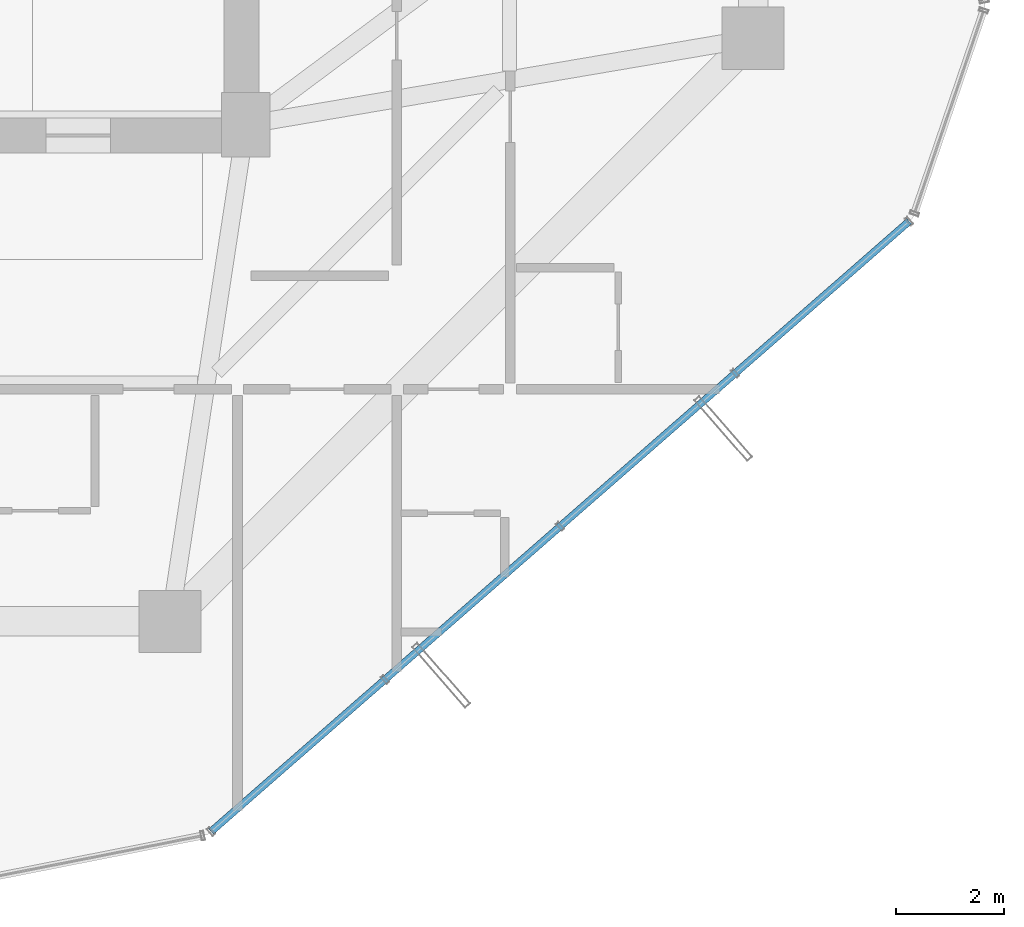
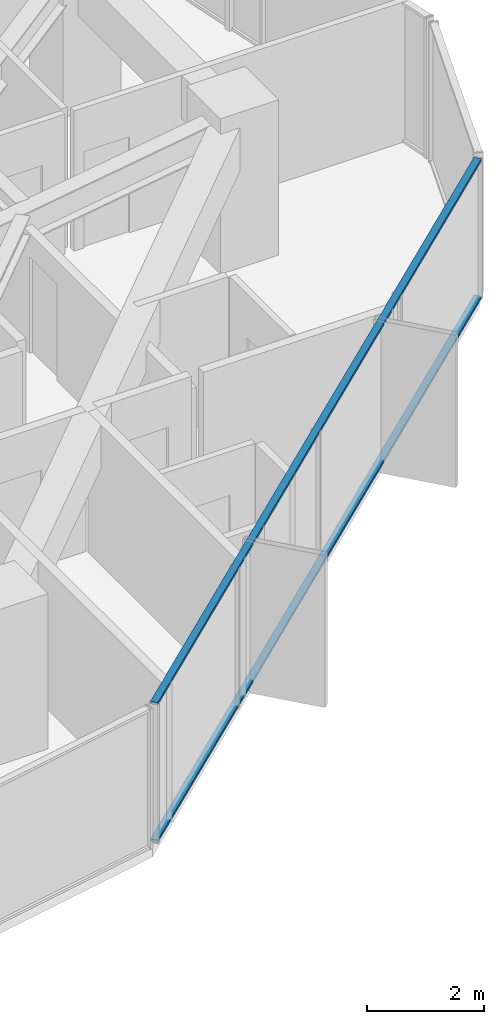
# One storey, part 16 of 36: 2 members, 1 element without a shape of its own.
"""IFC4 building model written with IfcOpenShell, lengths in metres."""

from ifc_helpers import new_model, si_unit, direction, frame, origin, origin_2d, place, context, subcontext, project, spatial, hollow_rectangle, extrude, source, transform, mapped, material, layer, layer_set, material_profile, profile_set, type_object, element, aggregate, save


model = new_model("IFC4")

# Units and contexts
model_context = context("Model", 3, precision=1e-05, world=origin(), true_north=direction((0.0, 1.0)))
body_context = subcontext(model_context, "Body", "Model", "MODEL_VIEW")
ifc_project = project(units=[si_unit("LENGTHUNIT", "METRE"), si_unit("AREAUNIT", "SQUARE_METRE"), si_unit("VOLUMEUNIT", "CUBIC_METRE"), si_unit("PLANEANGLEUNIT", "RADIAN"), si_unit("MASSUNIT", "GRAM", prefix="KILO")], contexts=[model_context])

# Site, building, storey
site_placement = place(None, origin())
site = spatial("IfcSite", under=ifc_project, at=site_placement, CompositionType="ELEMENT")
building_placement = place(site_placement, origin())
building = spatial("IfcBuilding", under=site, at=building_placement, Name="Veraguas Prism Commons", CompositionType="ELEMENT")
storey_placement = place(building_placement, frame((0.0, 0.0, 166.300048828125)))
storey = spatial("IfcBuildingStorey", under=building, at=storey_placement, Name="L47", CompositionType="ELEMENT", Elevation=166.300048828125)

# Curtain wall, members
ifc_material = material(Name="Anodised aluminium EN AW-6063 T6", Category="aluminium")
ifc_layer = layer(ifc_material, 0.169921875, Name="Unitised Flush Curtain Wall Zone 2", Category="aluminium")
ifc_layer_set = layer_set([ifc_layer], Name="Anodised aluminium EN AW-6063 T6")
curtain_wall_type = type_object("IfcCurtainWallType", Name="Unitised Flush Curtain Wall Zone 2", PredefinedType="NOTDEFINED", material=ifc_layer_set)
curtain_wall_placement = place(storey_placement, origin())
curtain_wall = element("IfcCurtainWall", 1, at=curtain_wall_placement, inside=storey, type_object=curtain_wall_type, Name="Tower Facade Curtain Wall L47-F5", PredefinedType="NOTDEFINED")
ifc_material_profile = material_profile(ifc_material, hollow_rectangle(XDim=0.054931640625, YDim=0.135009765625, WallThickness=0.0029296875, at=origin_2d()), Name="AL55X135X3")
ifc_profile_set = profile_set([ifc_material_profile], Name="Anodised aluminium EN AW-6063 T6")
member_type = type_object("IfcMemberType", Name="Curtain Wall Transom Standard AL 55x135x3", PredefinedType="USERDEFINED", material=ifc_profile_set)
shared_shape = source(origin(), body_context, "Body", "SweptSolid", [
    extrude(hollow_rectangle(XDim=0.054931640625, YDim=0.135009765625, WallThickness=0.0029296875, at=origin_2d()), origin(), (0.0, 0.0, 1.0), 17.17431640625),
])
member_1_placement = place(storey_placement, frame((30.16015625, 3.90625, 0.02734375), z_axis=(0.752877781906, 0.658160349392, 0.0), x_axis=(0.0, 0.0, 1.0)))
member_1 = element("IfcMember", 2, at=member_1_placement, type_object=member_type, Name="CW-Z2 Transom 1", ObjectType="TRANSOM", PredefinedType="USERDEFINED", context=body_context, shape_type="MappedRepresentation", body=[
    mapped(shared_shape, transform((0.0, 0.0, 0.0), scale=1.0)),
])
member_2_placement = place(storey_placement, frame((30.16015625, 3.90625, 2.90234375), z_axis=(0.752877781906, 0.658160349392, 0.0), x_axis=(0.0, 0.0, 1.0)))
member_2 = element("IfcMember", 3, at=member_2_placement, type_object=member_type, Name="CW-Z2 Transom 2", ObjectType="TRANSOM", PredefinedType="USERDEFINED", context=body_context, shape_type="MappedRepresentation", body=[
    mapped(shared_shape, transform((0.0, 0.0, 0.0), scale=1.0)),
])
aggregate(curtain_wall, [member_1, member_2])

save(model, "model.ifc")
